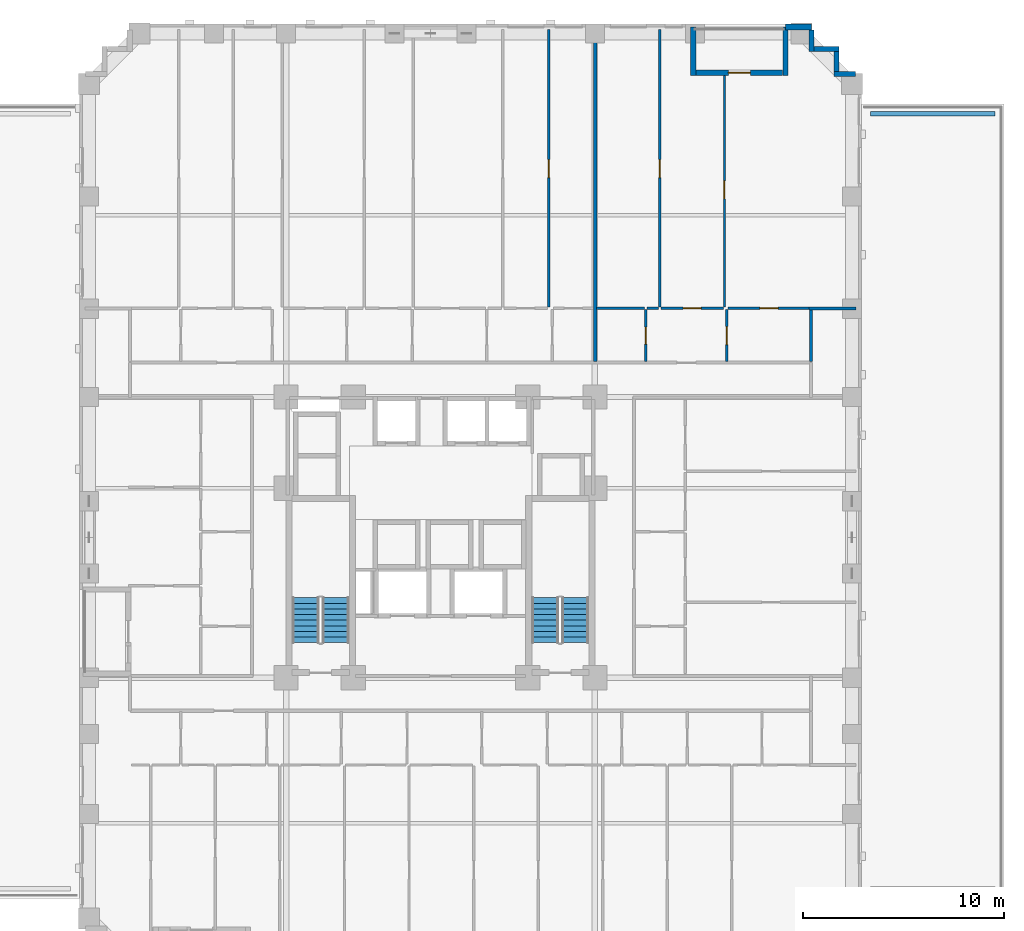
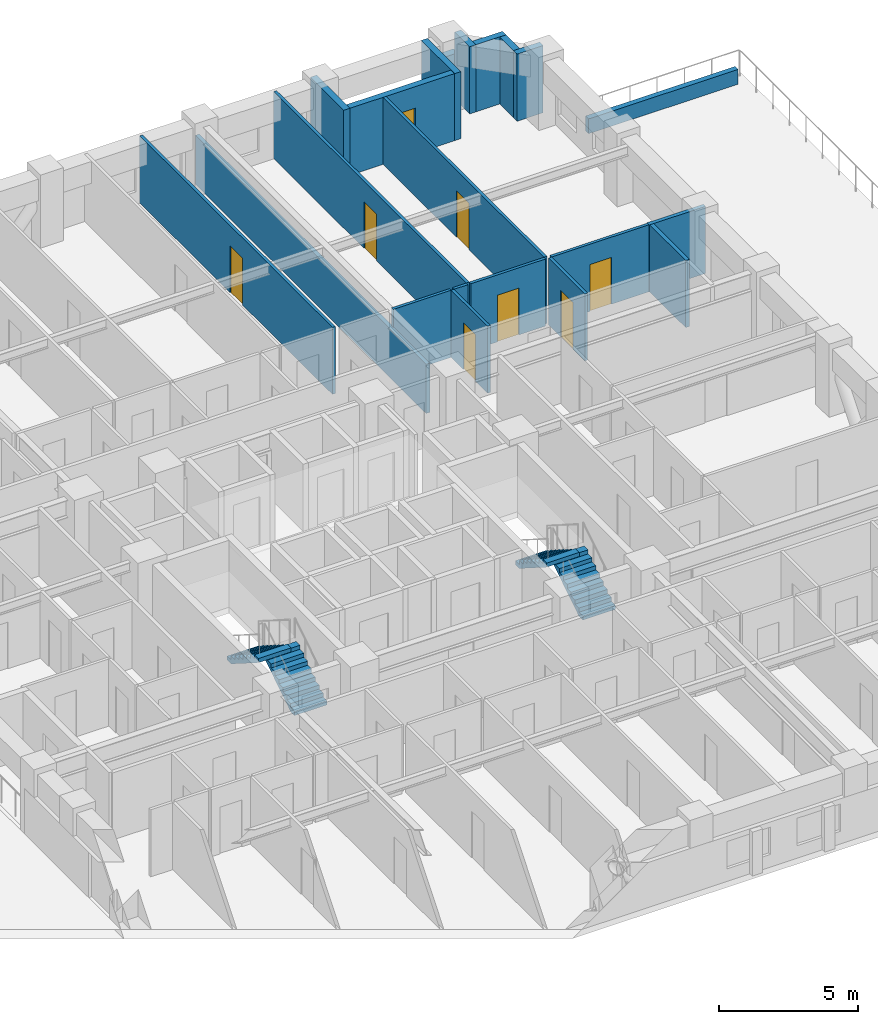
# One storey, part 9 of 14: 21 walls, 8 doors, 4 stair flights, 8 openings, 2 elements without a shape of their own.
"""IFC4 building model written with IfcOpenShell, lengths in metres."""

from ifc_helpers import new_model, si_unit, derived_unit, direction, frame, frame_2d, origin, place, context, subcontext, project, spatial, polyline, rectangle, outline, extrude, material, layer, layer_set, type_object, element, fill, aggregate, save


model = new_model("IFC4")

# Units and contexts
model_context = context("Model", 3, precision=1e-05, world=origin(), true_north=direction((0.0, 1.0)))
body_context = subcontext(model_context, "Body", "Model", "MODEL_VIEW")
ifc_project = project(units=[si_unit("LENGTHUNIT", "METRE"), si_unit("AREAUNIT", "SQUARE_METRE"), si_unit("VOLUMEUNIT", "CUBIC_METRE"), si_unit("PLANEANGLEUNIT", "RADIAN"), si_unit("MASSUNIT", "GRAM", prefix="KILO"), derived_unit("THERMALTRANSMITTANCEUNIT", [(si_unit("MASSUNIT", "GRAM", prefix="KILO"), 1), (si_unit("TIMEUNIT", "SECOND"), -3), (si_unit("THERMODYNAMICTEMPERATUREUNIT", "KELVIN"), -1)])], contexts=[model_context])

# Site, building, storey
site_placement = place(None, origin())
site = spatial("IfcSite", under=ifc_project, at=site_placement, CompositionType="ELEMENT")
building_placement = place(site_placement, origin())
building = spatial("IfcBuilding", under=site, at=building_placement, Name="Korrvale Station Residences", CompositionType="ELEMENT")
storey_placement = place(building_placement, frame((0.0, 0.0, 25.800048828125)))
storey = spatial("IfcBuildingStorey", under=building, at=storey_placement, Name="L05", CompositionType="ELEMENT", Elevation=25.800048828125)

# Wall
ifc_material_1 = material(Name="Precast concrete C45/55", Category="concrete")
ifc_layer_1 = layer(ifc_material_1, 0.260009765625, Name="Precast concrete C45/55")
ifc_layer_set_1 = layer_set([ifc_layer_1], Name="Precast concrete C45/55")
wall_type_1 = type_object("IfcWallType", Name="WAL-EXT-LOG260", PredefinedType="SOLIDWALL", material=ifc_layer_set_1)
wall_1_placement = place(storey_placement, frame((38.10009765625, 47.43994140625, 0.0), z_axis=(0.0, 0.0, 1.0), x_axis=(0.0, -1.0, 0.0)))
element("IfcWall", 1, at=wall_1_placement, inside=storey, type_object=wall_type_1, Name="L05 Recessed Loggia Wall BAL-L05-N1-L", PredefinedType="SOLIDWALL", context=body_context, shape_type="SweptSolid", body=[
    extrude(rectangle(XDim=2.39990234375, YDim=0.260009765625, at=frame_2d((1.199951171875, 0.0))), origin(), (0.0, 0.0, 1.0), 2.93994140625),
])

# Wall, opening, door
wall_2_placement = place(storey_placement, frame((38.23388671875, 45.169921875, 0.0), z_axis=(0.0, 0.0, 1.0), x_axis=(1.0, 0.0, 0.0)))
wall_2 = element("IfcWall", 2, at=wall_2_placement, inside=storey, type_object=wall_type_1, Name="L05 Recessed Loggia Wall BAL-L05-N1-B", PredefinedType="SOLIDWALL", context=body_context, shape_type="SweptSolid", body=[
    extrude(rectangle(XDim=4.33203125, YDim=0.260009765625, at=frame_2d((2.166015625, 0.0))), origin(), (0.0, 0.0, 1.0), 2.93994140625),
])
opening_1_placement = place(wall_2_placement, frame((1.615966796875, 0.0, 0.0)))
opening_1 = element("IfcOpeningElement", 3, at=opening_1_placement, cuts=wall_2, Name="Opening BD-01", PredefinedType="OPENING", context=body_context, shape_type="SweptSolid", body=[
    extrude(rectangle(XDim=1.10009765625, YDim=2.0, at=frame_2d((0.550048828125, 1.0))), frame((0.0, 0.14013671875, 0.0), z_axis=(0.0, -1.0, 0.0), x_axis=(1.0, 0.0, 0.0)), (0.0, 0.0, 1.0), 0.280029296875),
])
ifc_material_2 = material(Name="Exterior thermally broken aluminium glazed balcony door", Category="aluminium")
door_type_1 = type_object("IfcDoorType", Name="DR-EXT-BAL", OperationType="NOTDEFINED", PredefinedType="DOOR", material=ifc_material_2)
door_1_placement = place(opening_1_placement, origin())
door_1 = element("IfcDoor", 4, at=door_1_placement, inside=storey, type_object=door_type_1, Name="L05 Loggia Balcony Door BAL-L05-N1", OperationType="SINGLE_SWING_LEFT", OverallHeight=2.0, OverallWidth=1.10009765625, PredefinedType="DOOR", context=body_context, shape_type="SweptSolid", body=[
    extrude(rectangle(XDim=1.10009765625, YDim=2.0, at=frame_2d((0.550048828125, 1.0))), frame((0.0, 0.02490234375, 0.0), z_axis=(0.0, -1.0, 0.0), x_axis=(1.0, 0.0, 0.0)), (0.0, 0.0, 1.0), 0.050048828125),
])
fill(opening_1, door_1)

# Walls
wall_3_placement = place(storey_placement, frame((42.699951171875, 45.0400390625, 0.0), z_axis=(0.0, 0.0, 1.0), x_axis=(0.0, 1.0, 0.0)))
element("IfcWall", 5, at=wall_3_placement, inside=storey, type_object=wall_type_1, Name="L05 Recessed Loggia Wall BAL-L05-N1-R", PredefinedType="SOLIDWALL", context=body_context, shape_type="SweptSolid", body=[
    extrude(rectangle(XDim=2.39990234375, YDim=0.260009765625, at=frame_2d((1.199951171875, 0.0))), origin(), (0.0, 0.0, 1.0), 2.93994140625),
])
wall_4_placement = place(storey_placement, frame((44.0, 47.298095703125, 0.0), z_axis=(0.0, 0.0, 1.0), x_axis=(0.0, -1.0, 0.0)))
element("IfcWall", 6, at=wall_4_placement, inside=storey, type_object=wall_type_1, Name="L05 Serrated Corner Precast Step NE-1", PredefinedType="SOLIDWALL", context=body_context, shape_type="SweptSolid", body=[
    extrude(rectangle(XDim=1.078125, YDim=0.260009765625, at=frame_2d((0.5390625, 0.0))), origin(), (0.0, 0.0, 1.0), 2.93994140625),
])
wall_5_placement = place(storey_placement, frame((44.132080078125, 46.35009765625, 0.0), z_axis=(0.0, 0.0, 1.0), x_axis=(1.0, 0.0, 0.0)))
element("IfcWall", 7, at=wall_5_placement, inside=storey, type_object=wall_type_1, Name="L05 Serrated Corner Precast Step NE-2", PredefinedType="SOLIDWALL", context=body_context, shape_type="SweptSolid", body=[
    extrude(rectangle(XDim=1.247802734375, YDim=0.260009765625, at=frame_2d((0.6240234375, 0.0))), origin(), (0.0, 0.0, 1.0), 2.93994140625),
])
wall_6_placement = place(storey_placement, frame((45.25, 46.218017578125, 0.0), z_axis=(0.0, 0.0, 1.0), x_axis=(0.0, -1.0, 0.0)))
element("IfcWall", 8, at=wall_6_placement, inside=storey, type_object=wall_type_1, Name="L05 Serrated Corner Precast Step NE-3", PredefinedType="SOLIDWALL", context=body_context, shape_type="SweptSolid", body=[
    extrude(rectangle(XDim=0.986083984375, YDim=0.260009765625, at=frame_2d((0.4931640625, 0.0))), origin(), (0.0, 0.0, 1.0), 2.93994140625),
])
wall_7_placement = place(storey_placement, frame((45.1201171875, 45.10009765625, 0.0), z_axis=(0.0, 0.0, 1.0), x_axis=(1.0, 0.0, 0.0)))
element("IfcWall", 9, at=wall_7_placement, inside=storey, type_object=wall_type_1, Name="L05 Serrated Corner Precast Step NE-4", PredefinedType="SOLIDWALL", context=body_context, shape_type="SweptSolid", body=[
    extrude(rectangle(XDim=1.077880859375, YDim=0.260009765625, at=frame_2d((0.5390625, 0.0))), origin(), (0.0, 0.0, 1.0), 2.93994140625),
])
ifc_layer_2 = layer(ifc_material_1, 0.300048828125, Name="Precast concrete C45/55")
ifc_layer_set_2 = layer_set([ifc_layer_2], Name="Precast concrete C45/55")
wall_type_2 = type_object("IfcWallType", Name="WAL-EXT-PC300", PredefinedType="SOLIDWALL", material=ifc_layer_set_2)
wall_8_placement = place(storey_placement, frame((42.699951171875, 47.449951171875, 0.0), z_axis=(0.0, 0.0, 1.0), x_axis=(1.0, 0.0, 0.0)))
element("IfcWall", 10, at=wall_8_placement, inside=storey, type_object=wall_type_2, Name="L05 North Exterior Precast Wall 2", PredefinedType="SOLIDWALL", context=body_context, shape_type="SweptSolid", body=[
    extrude(rectangle(XDim=1.300048828125, YDim=0.300048828125, at=frame_2d((0.64990234375, 0.0))), origin(), (0.0, 0.0, 1.0), 1.974853515625),
])
ifc_layer_3 = layer(ifc_material_1, 0.219970703125, Name="Precast concrete C45/55")
ifc_layer_set_3 = layer_set([ifc_layer_3], Name="Precast concrete C45/55")
wall_type_3 = type_object("IfcWallType", Name="WAL-PAR-220", PredefinedType="PARAPET", material=ifc_layer_set_3)
wall_9_placement = place(storey_placement, frame((46.949951171875, 43.1201171875, 0.0), z_axis=(0.0, 0.0, 1.0), x_axis=(1.0, 0.0, 0.0)))
element("IfcWall", 11, at=wall_9_placement, inside=storey, type_object=wall_type_3, Name="L05 Terrace Planter Parapet TER-L05-E-N", PredefinedType="PARAPET", context=body_context, shape_type="SweptSolid", body=[
    extrude(rectangle(XDim=6.199951171875, YDim=0.219970703125, at=frame_2d((3.10009765625, 0.0))), origin(), (0.0, 0.0, 1.0), 0.64990234375),
])

# Wall, opening, door
ifc_material_3 = material(Name="Acoustic steel-stud gypsum board partition", Category="steel")
ifc_layer_4 = layer(ifc_material_3, 0.1201171875, Name="Acoustic steel-stud gypsum board partition")
ifc_layer_set_4 = layer_set([ifc_layer_4], Name="Acoustic steel-stud gypsum board partition")
wall_type_4 = type_object("IfcWallType", Name="WAL-PART-125", PredefinedType="PARTITIONING", material=ifc_layer_set_4)
wall_10_placement = place(storey_placement, frame((30.887939453125, 33.47998046875, 0.0), z_axis=(0.0, 0.0, 1.0), x_axis=(0.0, 1.0, 0.0)))
wall_10 = element("IfcWall", 12, at=wall_10_placement, inside=storey, type_object=wall_type_4, Name="L05 Suite Partition U02-V1314", PredefinedType="PARTITIONING", context=body_context, shape_type="SweptSolid", body=[
    extrude(rectangle(XDim=13.840087890625, YDim=0.1201171875, at=frame_2d((6.919921875, 0.0))), origin(), (0.0, 0.0, 1.0), 2.93994140625),
])
opening_2_placement = place(wall_10_placement, frame((6.455078125, 0.0, 0.0)))
opening_2 = element("IfcOpeningElement", 13, at=opening_2_placement, cuts=wall_10, Name="Opening DI-900", PredefinedType="OPENING", context=body_context, shape_type="SweptSolid", body=[
    extrude(rectangle(XDim=0.89990234375, YDim=2.050048828125, at=frame_2d((0.449951171875, 1.02490234375))), frame((0.0, 0.070068359375, 0.0), z_axis=(0.0, -1.0, 0.0), x_axis=(1.0, 0.0, 0.0)), (0.0, 0.0, 1.0), 0.14013671875),
])
ifc_material_4 = material(Name="Painted solid-core timber interior room door", Category="wood")
door_type_2 = type_object("IfcDoorType", Name="DR-INT-900", OperationType="NOTDEFINED", PredefinedType="DOOR", material=ifc_material_4)
door_2_placement = place(opening_2_placement, origin())
door_2 = element("IfcDoor", 14, at=door_2_placement, inside=storey, type_object=door_type_2, Name="L05 Apartment 2BR L05-U02 Bedroom 1 Door", OperationType="SINGLE_SWING_RIGHT", OverallHeight=2.050048828125, OverallWidth=0.89990234375, PredefinedType="DOOR", context=body_context, shape_type="SweptSolid", body=[
    extrude(rectangle(XDim=0.89990234375, YDim=2.050048828125, at=frame_2d((0.449951171875, 1.02490234375))), frame((0.0, 0.02490234375, 0.0), z_axis=(0.0, -1.0, 0.0), x_axis=(1.0, 0.0, 0.0)), (0.0, 0.0, 1.0), 0.050048828125),
])
fill(opening_2, door_2)

wall_11_placement = place(storey_placement, frame((35.739990234375, 30.760009765625, 0.0), z_axis=(0.0, 0.0, 1.0), x_axis=(0.0, 1.0, 0.0)))
wall_11 = element("IfcWall", 15, at=wall_11_placement, inside=storey, type_object=wall_type_4, Name="L05 Suite Partition U03-V01", PredefinedType="PARTITIONING", context=body_context, shape_type="SweptSolid", body=[
    extrude(rectangle(XDim=2.60009765625, YDim=0.1201171875, at=frame_2d((1.300048828125, 0.0))), origin(), (0.0, 0.0, 1.0), 2.93994140625),
])
opening_3_placement = place(wall_11_placement, frame((0.8701171875, 0.0, 0.0)))
opening_3 = element("IfcOpeningElement", 16, at=opening_3_placement, cuts=wall_11, Name="Opening DB-860", PredefinedType="OPENING", context=body_context, shape_type="SweptSolid", body=[
    extrude(rectangle(XDim=0.860107421875, YDim=2.050048828125, at=frame_2d((0.43017578125, 1.02490234375))), frame((0.0, 0.070068359375, 0.0), z_axis=(0.0, -1.0, 0.0), x_axis=(1.0, 0.0, 0.0)), (0.0, 0.0, 1.0), 0.14013671875),
])
ifc_material_5 = material(Name="Moisture-resistant solid-core bathroom door", Category="timber")
door_type_3 = type_object("IfcDoorType", Name="DR-BATH-860", OperationType="NOTDEFINED", PredefinedType="DOOR", material=ifc_material_5)
door_3_placement = place(opening_3_placement, origin())
door_3 = element("IfcDoor", 17, at=door_3_placement, inside=storey, type_object=door_type_3, Name="L05 Studio Apartment L05-U03 Bathroom Door", OperationType="SINGLE_SWING_LEFT", OverallHeight=2.050048828125, OverallWidth=0.860107421875, PredefinedType="DOOR", context=body_context, shape_type="SweptSolid", body=[
    extrude(rectangle(XDim=0.860107421875, YDim=2.050048828125, at=frame_2d((0.43017578125, 1.02490234375))), frame((0.0, 0.02490234375, 0.0), z_axis=(0.0, -1.0, 0.0), x_axis=(1.0, 0.0, 0.0)), (0.0, 0.0, 1.0), 0.050048828125),
])
fill(opening_3, door_3)

# Wall
wall_12_placement = place(storey_placement, frame((33.280029296875, 33.419921875, 0.0), z_axis=(0.0, 0.0, 1.0), x_axis=(1.0, 0.0, 0.0)))
element("IfcWall", 18, at=wall_12_placement, inside=storey, type_object=wall_type_4, Name="L05 Suite Partition U03-H03", PredefinedType="PARTITIONING", context=body_context, shape_type="SweptSolid", body=[
    extrude(rectangle(XDim=2.39990234375, YDim=0.1201171875, at=frame_2d((1.199951171875, 0.0))), origin(), (0.0, 0.0, 1.0), 2.93994140625),
])

# Wall, opening, door
wall_13_placement = place(storey_placement, frame((39.780029296875, 30.760009765625, 0.0), z_axis=(0.0, 0.0, 1.0), x_axis=(0.0, 1.0, 0.0)))
wall_13 = element("IfcWall", 19, at=wall_13_placement, inside=storey, type_object=wall_type_4, Name="L05 Suite Partition U03-V12", PredefinedType="PARTITIONING", context=body_context, shape_type="SweptSolid", body=[
    extrude(rectangle(XDim=2.60009765625, YDim=0.1201171875, at=frame_2d((1.300048828125, 0.0))), origin(), (0.0, 0.0, 1.0), 2.93994140625),
])
opening_4_placement = place(wall_13_placement, frame((0.85009765625, 0.0, 0.0)))
opening_4 = element("IfcOpeningElement", 20, at=opening_4_placement, cuts=wall_13, Name="Opening DI-900", PredefinedType="OPENING", context=body_context, shape_type="SweptSolid", body=[
    extrude(rectangle(XDim=0.89990234375, YDim=2.050048828125, at=frame_2d((0.449951171875, 1.02490234375))), frame((0.0, 0.070068359375, 0.0), z_axis=(0.0, -1.0, 0.0), x_axis=(1.0, 0.0, 0.0)), (0.0, 0.0, 1.0), 0.14013671875),
])
door_4_placement = place(opening_4_placement, origin())
door_4 = element("IfcDoor", 21, at=door_4_placement, inside=storey, type_object=door_type_2, Name="L05 Studio Apartment L05-U03 Kitchen Door", OperationType="SINGLE_SWING_RIGHT", OverallHeight=2.050048828125, OverallWidth=0.89990234375, PredefinedType="DOOR", context=body_context, shape_type="SweptSolid", body=[
    extrude(rectangle(XDim=0.89990234375, YDim=2.050048828125, at=frame_2d((0.449951171875, 1.02490234375))), frame((0.0, 0.02490234375, 0.0), z_axis=(0.0, -1.0, 0.0), x_axis=(1.0, 0.0, 0.0)), (0.0, 0.0, 1.0), 0.050048828125),
])
fill(opening_4, door_4)

# Wall
wall_14_placement = place(storey_placement, frame((35.800048828125, 33.419921875, 0.0), z_axis=(0.0, 0.0, 1.0), x_axis=(1.0, 0.0, 0.0)))
element("IfcWall", 22, at=wall_14_placement, inside=storey, type_object=wall_type_4, Name="L05 Suite Partition U03-H13", PredefinedType="PARTITIONING", context=body_context, shape_type="SweptSolid", body=[
    extrude(rectangle(XDim=0.579833984375, YDim=0.1201171875, at=frame_2d((0.2900390625, 0.0))), origin(), (0.0, 0.0, 1.0), 2.93994140625),
])

# Wall, opening, door
wall_15_placement = place(storey_placement, frame((36.5, 33.419921875, 0.0), z_axis=(0.0, 0.0, 1.0), x_axis=(1.0, 0.0, 0.0)))
wall_15 = element("IfcWall", 23, at=wall_15_placement, inside=storey, type_object=wall_type_4, Name="L05 Suite Partition U03-H14", PredefinedType="PARTITIONING", context=body_context, shape_type="SweptSolid", body=[
    extrude(rectangle(XDim=3.10009765625, YDim=0.1201171875, at=frame_2d((1.550048828125, 0.0))), origin(), (0.0, 0.0, 1.0), 2.93994140625),
])
opening_5_placement = place(wall_15_placement, frame((1.10009765625, 0.0, 0.0)))
opening_5 = element("IfcOpeningElement", 24, at=opening_5_placement, cuts=wall_15, Name="Opening DI-900", PredefinedType="OPENING", context=body_context, shape_type="SweptSolid", body=[
    extrude(rectangle(XDim=0.89990234375, YDim=2.050048828125, at=frame_2d((0.449951171875, 1.02490234375))), frame((0.0, 0.070068359375, 0.0), z_axis=(0.0, -1.0, 0.0), x_axis=(1.0, 0.0, 0.0)), (0.0, 0.0, 1.0), 0.14013671875),
])
door_5_placement = place(opening_5_placement, origin())
door_5 = element("IfcDoor", 25, at=door_5_placement, inside=storey, type_object=door_type_2, Name="L05 Studio Apartment L05-U03 Kitchen Door", OperationType="SINGLE_SWING_LEFT", OverallHeight=2.050048828125, OverallWidth=0.89990234375, PredefinedType="DOOR", context=body_context, shape_type="SweptSolid", body=[
    extrude(rectangle(XDim=0.89990234375, YDim=2.050048828125, at=frame_2d((0.449951171875, 1.02490234375))), frame((0.0, 0.02490234375, 0.0), z_axis=(0.0, -1.0, 0.0), x_axis=(1.0, 0.0, 0.0)), (0.0, 0.0, 1.0), 0.050048828125),
])
fill(opening_5, door_5)

wall_16_placement = place(storey_placement, frame((39.840087890625, 33.419921875, 0.0), z_axis=(0.0, 0.0, 1.0), x_axis=(1.0, 0.0, 0.0)))
wall_16 = element("IfcWall", 26, at=wall_16_placement, inside=storey, type_object=wall_type_4, Name="L05 Suite Partition U03-H25", PredefinedType="PARTITIONING", context=body_context, shape_type="SweptSolid", body=[
    extrude(rectangle(XDim=4.079833984375, YDim=0.1201171875, at=frame_2d((2.0400390625, 0.0))), origin(), (0.0, 0.0, 1.0), 2.93994140625),
])
opening_6_placement = place(wall_16_placement, frame((1.590087890625, 0.0, 0.0)))
opening_6 = element("IfcOpeningElement", 27, at=opening_6_placement, cuts=wall_16, Name="Opening DI-900", PredefinedType="OPENING", context=body_context, shape_type="SweptSolid", body=[
    extrude(rectangle(XDim=0.89990234375, YDim=2.050048828125, at=frame_2d((0.449951171875, 1.02490234375))), frame((0.0, 0.070068359375, 0.0), z_axis=(0.0, -1.0, 0.0), x_axis=(1.0, 0.0, 0.0)), (0.0, 0.0, 1.0), 0.14013671875),
])
door_6_placement = place(opening_6_placement, origin())
door_6 = element("IfcDoor", 28, at=door_6_placement, inside=storey, type_object=door_type_2, Name="L05 Studio Apartment L05-U03 Utility and Laundry Room Door", OperationType="SINGLE_SWING_RIGHT", OverallHeight=2.050048828125, OverallWidth=0.89990234375, PredefinedType="DOOR", context=body_context, shape_type="SweptSolid", body=[
    extrude(rectangle(XDim=0.89990234375, YDim=2.050048828125, at=frame_2d((0.449951171875, 1.02490234375))), frame((0.0, 0.02490234375, 0.0), z_axis=(0.0, -1.0, 0.0), x_axis=(1.0, 0.0, 0.0)), (0.0, 0.0, 1.0), 0.050048828125),
])
fill(opening_6, door_6)

wall_17_placement = place(storey_placement, frame((36.43994140625, 33.47998046875, 0.0), z_axis=(0.0, 0.0, 1.0), x_axis=(0.0, 1.0, 0.0)))
wall_17 = element("IfcWall", 29, at=wall_17_placement, inside=storey, type_object=wall_type_4, Name="L05 Suite Partition U03-V34", PredefinedType="PARTITIONING", context=body_context, shape_type="SweptSolid", body=[
    extrude(rectangle(XDim=13.840087890625, YDim=0.1201171875, at=frame_2d((6.919921875, 0.0))), origin(), (0.0, 0.0, 1.0), 2.93994140625),
])
opening_7_placement = place(wall_17_placement, frame((6.455078125, 0.0, 0.0)))
opening_7 = element("IfcOpeningElement", 30, at=opening_7_placement, cuts=wall_17, Name="Opening DI-900", PredefinedType="OPENING", context=body_context, shape_type="SweptSolid", body=[
    extrude(rectangle(XDim=0.89990234375, YDim=2.050048828125, at=frame_2d((0.449951171875, 1.02490234375))), frame((0.0, 0.070068359375, 0.0), z_axis=(0.0, -1.0, 0.0), x_axis=(1.0, 0.0, 0.0)), (0.0, 0.0, 1.0), 0.14013671875),
])
door_7_placement = place(opening_7_placement, origin())
door_7 = element("IfcDoor", 31, at=door_7_placement, inside=storey, type_object=door_type_2, Name="L05 Studio Apartment L05-U03 Walk-In Wardrobe Door", OperationType="SINGLE_SWING_LEFT", OverallHeight=2.050048828125, OverallWidth=0.89990234375, PredefinedType="DOOR", context=body_context, shape_type="SweptSolid", body=[
    extrude(rectangle(XDim=0.89990234375, YDim=2.050048828125, at=frame_2d((0.449951171875, 1.02490234375))), frame((0.0, 0.02490234375, 0.0), z_axis=(0.0, -1.0, 0.0), x_axis=(1.0, 0.0, 0.0)), (0.0, 0.0, 1.0), 0.050048828125),
])
fill(opening_7, door_7)

wall_18_placement = place(storey_placement, frame((39.659912109375, 33.47998046875, 0.0), z_axis=(0.0, 0.0, 1.0), x_axis=(0.0, 1.0, 0.0)))
wall_18 = element("IfcWall", 32, at=wall_18_placement, inside=storey, type_object=wall_type_4, Name="L05 Suite Partition U03-V45", PredefinedType="PARTITIONING", context=body_context, shape_type="SweptSolid", body=[
    extrude(rectangle(XDim=11.68994140625, YDim=0.1201171875, at=frame_2d((5.844970703125, 0.0))), origin(), (0.0, 0.0, 1.0), 2.93994140625),
])
opening_8_placement = place(wall_18_placement, frame((5.39501953125, 0.0, 0.0)))
opening_8 = element("IfcOpeningElement", 33, at=opening_8_placement, cuts=wall_18, Name="Opening DI-900", PredefinedType="OPENING", context=body_context, shape_type="SweptSolid", body=[
    extrude(rectangle(XDim=0.89990234375, YDim=2.050048828125, at=frame_2d((0.449951171875, 1.02490234375))), frame((0.0, 0.070068359375, 0.0), z_axis=(0.0, -1.0, 0.0), x_axis=(1.0, 0.0, 0.0)), (0.0, 0.0, 1.0), 0.14013671875),
])
door_8_placement = place(opening_8_placement, origin())
door_8 = element("IfcDoor", 34, at=door_8_placement, inside=storey, type_object=door_type_2, Name="L05 Studio Apartment L05-U03 Walk-In Wardrobe Door", OperationType="SINGLE_SWING_RIGHT", OverallHeight=2.050048828125, OverallWidth=0.89990234375, PredefinedType="DOOR", context=body_context, shape_type="SweptSolid", body=[
    extrude(rectangle(XDim=0.89990234375, YDim=2.050048828125, at=frame_2d((0.449951171875, 1.02490234375))), frame((0.0, 0.02490234375, 0.0), z_axis=(0.0, -1.0, 0.0), x_axis=(1.0, 0.0, 0.0)), (0.0, 0.0, 1.0), 0.050048828125),
])
fill(opening_8, door_8)

# Walls
ifc_material_6 = material(Name="Fire-rated twin-stud gypsum and mineral wool shaftwall assembly", Category="gypsum")
ifc_layer_5 = layer(ifc_material_6, 0.159912109375, Name="Fire-rated twin-stud gypsum and mineral wool shaftwall assembly")
ifc_layer_set_5 = layer_set([ifc_layer_5], Name="Fire-rated twin-stud gypsum and mineral wool shaftwall assembly")
wall_type_5 = type_object("IfcWallType", Name="WAL-PART-200", PredefinedType="PARTITIONING", material=ifc_layer_set_5)
wall_19_placement = place(storey_placement, frame((43.8798828125, 33.419921875, 0.0), z_axis=(0.0, 0.0, 1.0), x_axis=(1.0, 0.0, 0.0)))
element("IfcWall", 35, at=wall_19_placement, inside=storey, type_object=wall_type_5, Name="L05 Corner Step Wall U03-R", PredefinedType="PARTITIONING", context=body_context, shape_type="SweptSolid", body=[
    extrude(rectangle(XDim=2.340087890625, YDim=0.159912109375, at=frame_2d((1.169921875, 0.0))), origin(), (0.0, 0.0, 1.0), 2.93994140625),
])
wall_20_placement = place(storey_placement, frame((43.97998046875, 30.760009765625, 0.0), z_axis=(0.0, 0.0, 1.0), x_axis=(0.0, 1.0, 0.0)))
element("IfcWall", 36, at=wall_20_placement, inside=storey, type_object=wall_type_5, Name="L05 Corner Step Cheek U03-R", PredefinedType="PARTITIONING", context=body_context, shape_type="SweptSolid", body=[
    extrude(rectangle(XDim=2.659912109375, YDim=0.159912109375, at=frame_2d((1.330078125, 0.0))), origin(), (0.0, 0.0, 1.0), 2.93994140625),
])
wall_21_placement = place(storey_placement, frame((33.219970703125, 30.760009765625, 0.0), z_axis=(0.0, 0.0, 1.0), x_axis=(0.0, 1.0, 0.0)))
element("IfcWall", 37, at=wall_21_placement, inside=storey, type_object=wall_type_5, Name="L05 Demising Wall U03-W", PredefinedType="PARTITIONING", context=body_context, shape_type="SweptSolid", body=[
    extrude(rectangle(XDim=16.56005859375, YDim=0.159912109375, at=frame_2d((8.280029296875, 0.0))), origin(), (0.0, 0.0, 1.0), 2.155029296875),
])

# Stair, stair flights
ifc_material_7 = material(Name="Concrete C50/60", Category="concrete")
stair_type = type_object("IfcStairType", Name="STR-DL-1350-18R-1778", PredefinedType="HALF_TURN_STAIR", material=ifc_material_7)
stair_1_placement = place(storey_placement, origin())
stair_1 = element("IfcStair", 38, at=stair_1_placement, inside=storey, type_object=stair_type, Name="L05 Exit Stair 1", PredefinedType="HALF_TURN_STAIR")
stair_flight_type = type_object("IfcStairFlightType", Name="FLT-DL-1350-18R-1778", PredefinedType="STRAIGHT", material=ifc_material_7)
stair_flight_1_placement = place(storey_placement, frame((20.27490234375, 16.75, 0.0), z_axis=(0.0, 0.0, 1.0), x_axis=(0.0, 1.0, 0.0)))
stair_flight_1 = element("IfcStairFlight", 39, at=stair_flight_1_placement, type_object=stair_flight_type, Name="ST-1 flight 1", NumberOfRisers=9, NumberOfTreads=8, PredefinedType="STRAIGHT", RiserHeight=0.177777778, TreadLength=0.28, context=body_context, shape_type="SweptSolid", body=[
    extrude(outline(polyline([(0.0, 0.0), (0.0, 0.177734375), (0.280029296875, 0.177734375), (0.280029296875, 0.35546875), (0.56005859375, 0.35546875), (0.56005859375, 0.533447265625), (0.840087890625, 0.533447265625), (0.840087890625, 0.711181640625), (1.1201171875, 0.711181640625), (1.1201171875, 0.888916015625), (1.39990234375, 0.888916015625), (1.39990234375, 1.066650390625), (1.679931640625, 1.066650390625), (1.679931640625, 1.244384765625), (1.9599609375, 1.244384765625), (1.9599609375, 1.422119140625), (2.239990234375, 1.422119140625), (2.239990234375, 1.60009765625), (2.239990234375, 1.24462890625), (0.27978515625, 0.0), (0.0, 0.0)])), frame((0.0, 0.675048828125, 0.0), z_axis=(0.0, -1.0, 0.0), x_axis=(1.0, 0.0, 0.0)), (0.0, 0.0, 1.0), 1.35009765625),
])
stair_flight_2_placement = place(storey_placement, frame((18.77490234375, 18.989990234375, 1.599853515625), z_axis=(0.0, 0.0, 1.0), x_axis=(0.0, -1.0, 0.0)))
stair_flight_2 = element("IfcStairFlight", 40, at=stair_flight_2_placement, type_object=stair_flight_type, Name="ST-1 flight 2", NumberOfRisers=9, NumberOfTreads=8, PredefinedType="STRAIGHT", RiserHeight=0.177777778, TreadLength=0.28, context=body_context, shape_type="SweptSolid", body=[
    extrude(outline(polyline([(0.0, 0.0), (0.0, 0.177734375), (0.280029296875, 0.177734375), (0.280029296875, 0.35546875), (0.56005859375, 0.35546875), (0.56005859375, 0.533447265625), (0.840087890625, 0.533447265625), (0.840087890625, 0.711181640625), (1.1201171875, 0.711181640625), (1.1201171875, 0.888916015625), (1.39990234375, 0.888916015625), (1.39990234375, 1.066650390625), (1.679931640625, 1.066650390625), (1.679931640625, 1.244384765625), (1.9599609375, 1.244384765625), (1.9599609375, 1.422119140625), (2.239990234375, 1.422119140625), (2.239990234375, 1.60009765625), (2.239990234375, 1.24462890625), (0.27978515625, 0.0), (0.0, 0.0)])), frame((0.0, 0.675048828125, 0.0), z_axis=(0.0, -1.0, 0.0), x_axis=(1.0, 0.0, 0.0)), (0.0, 0.0, 1.0), 1.35009765625),
])
aggregate(stair_1, [stair_flight_1, stair_flight_2])

stair_2_placement = place(storey_placement, origin())
stair_2 = element("IfcStair", 41, at=stair_2_placement, inside=storey, type_object=stair_type, Name="L05 Exit Stair 2", PredefinedType="HALF_TURN_STAIR")
stair_flight_3_placement = place(storey_placement, frame((32.22509765625, 16.75, 0.0), z_axis=(0.0, 0.0, 1.0), x_axis=(0.0, 1.0, 0.0)))
stair_flight_3 = element("IfcStairFlight", 42, at=stair_flight_3_placement, type_object=stair_flight_type, Name="ST-2 flight 1", NumberOfRisers=9, NumberOfTreads=8, PredefinedType="STRAIGHT", RiserHeight=0.177777778, TreadLength=0.28, context=body_context, shape_type="SweptSolid", body=[
    extrude(outline(polyline([(0.0, 0.0), (0.0, 0.177734375), (0.280029296875, 0.177734375), (0.280029296875, 0.35546875), (0.56005859375, 0.35546875), (0.56005859375, 0.533447265625), (0.840087890625, 0.533447265625), (0.840087890625, 0.711181640625), (1.1201171875, 0.711181640625), (1.1201171875, 0.888916015625), (1.39990234375, 0.888916015625), (1.39990234375, 1.066650390625), (1.679931640625, 1.066650390625), (1.679931640625, 1.244384765625), (1.9599609375, 1.244384765625), (1.9599609375, 1.422119140625), (2.239990234375, 1.422119140625), (2.239990234375, 1.60009765625), (2.239990234375, 1.24462890625), (0.27978515625, 0.0), (0.0, 0.0)])), frame((0.0, 0.675048828125, 0.0), z_axis=(0.0, -1.0, 0.0), x_axis=(1.0, 0.0, 0.0)), (0.0, 0.0, 1.0), 1.35009765625),
])
stair_flight_4_placement = place(storey_placement, frame((30.72509765625, 18.989990234375, 1.599853515625), z_axis=(0.0, 0.0, 1.0), x_axis=(0.0, -1.0, 0.0)))
stair_flight_4 = element("IfcStairFlight", 43, at=stair_flight_4_placement, type_object=stair_flight_type, Name="ST-2 flight 2", NumberOfRisers=9, NumberOfTreads=8, PredefinedType="STRAIGHT", RiserHeight=0.177777778, TreadLength=0.28, context=body_context, shape_type="SweptSolid", body=[
    extrude(outline(polyline([(0.0, 0.0), (0.0, 0.177734375), (0.280029296875, 0.177734375), (0.280029296875, 0.35546875), (0.56005859375, 0.35546875), (0.56005859375, 0.533447265625), (0.840087890625, 0.533447265625), (0.840087890625, 0.711181640625), (1.1201171875, 0.711181640625), (1.1201171875, 0.888916015625), (1.39990234375, 0.888916015625), (1.39990234375, 1.066650390625), (1.679931640625, 1.066650390625), (1.679931640625, 1.244384765625), (1.9599609375, 1.244384765625), (1.9599609375, 1.422119140625), (2.239990234375, 1.422119140625), (2.239990234375, 1.60009765625), (2.239990234375, 1.24462890625), (0.27978515625, 0.0), (0.0, 0.0)])), frame((0.0, 0.675048828125, 0.0), z_axis=(0.0, -1.0, 0.0), x_axis=(1.0, 0.0, 0.0)), (0.0, 0.0, 1.0), 1.35009765625),
])
aggregate(stair_2, [stair_flight_3, stair_flight_4])

save(model, "model.ifc")
